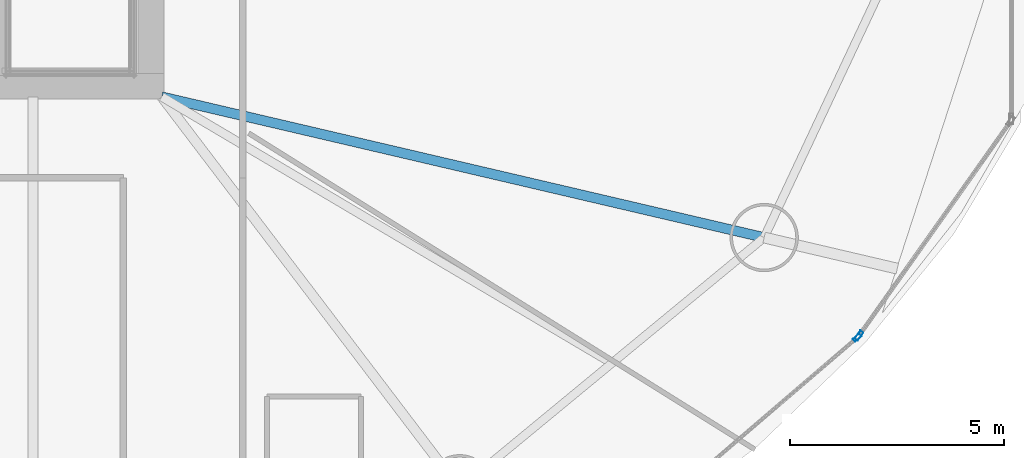
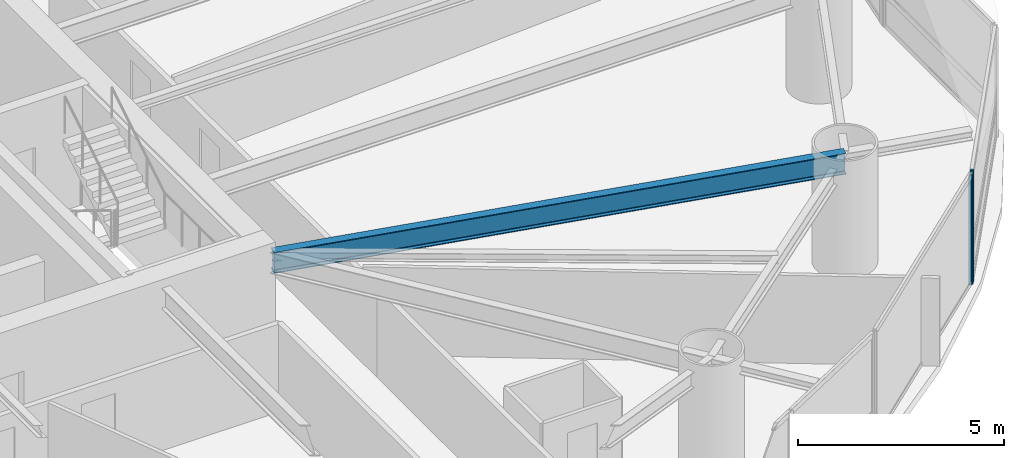
# One storey, part 7 of 25: 2 members, 1 beam, 2 elements without a shape of their own.
"""IFC4 building model written with IfcOpenShell, lengths in metres."""

from ifc_helpers import new_model, si_unit, direction, frame, origin, origin_2d, place, context, subcontext, project, spatial, hollow_rectangle, i_section, extrude, material, layer, layer_set, material_profile, profile_set, type_object, element, aggregate, save


model = new_model("IFC4")

# Units and contexts
model_context = context("Model", 3, precision=1e-05, world=origin(), true_north=direction((0.0, 1.0)))
body_context = subcontext(model_context, "Body", "Model", "MODEL_VIEW")
ifc_project = project(units=[si_unit("LENGTHUNIT", "METRE"), si_unit("AREAUNIT", "SQUARE_METRE"), si_unit("VOLUMEUNIT", "CUBIC_METRE"), si_unit("PLANEANGLEUNIT", "RADIAN"), si_unit("MASSUNIT", "GRAM", prefix="KILO")], contexts=[model_context])

# Site, building, storey
site_placement = place(None, origin())
site = spatial("IfcSite", under=ifc_project, at=site_placement, CompositionType="ELEMENT")
building_placement = place(site_placement, origin())
building = spatial("IfcBuilding", under=site, at=building_placement, Name="Bramvorn Convention Spire", CompositionType="ELEMENT")
storey_placement = place(building_placement, frame((0.0, 0.0, 55.39990234375)))
storey = spatial("IfcBuildingStorey", under=building, at=storey_placement, Name="L11", CompositionType="ELEMENT", Elevation=55.39990234375)

# Beam
ifc_material_1 = material(Name="Steel CSA G40.21 Grade 350 (350W)", Category="steel")
ifc_material_profile_1 = material_profile(ifc_material_1, i_section(OverallWidth=0.22998046875, OverallDepth=0.616943359375, WebThickness=0.01318359375, FlangeThickness=0.022216796875, FilletRadius=0.02001953125, at=origin_2d()))
ifc_profile_set_1 = profile_set([ifc_material_profile_1], Name="Steel CSA G40.21 Grade 350 (350W) - W610X140")
beam_type = type_object("IfcBeamType", Name="BM-W610X140", PredefinedType="BEAM", material=ifc_profile_set_1)
beam_placement = place(storey_placement, frame((49.25, 18.550048828125, 2.941650390625), z_axis=(0.973775294862, -0.227511923018, 0.0), x_axis=(0.227511923018, 0.973775294862, 0.0)))
element("IfcBeam", 1, at=beam_placement, inside=storey, type_object=beam_type, Name="L11 radial floor girder MC16", PredefinedType="BEAM", context=body_context, shape_type="SweptSolid", body=[
    extrude(i_section(OverallWidth=0.22998046875, OverallDepth=0.616943359375, WebThickness=0.01318359375, FlangeThickness=0.022216796875, FilletRadius=0.02001953125, at=origin_2d()), origin(), (0.0, 0.0, 1.0), 14.48876953125),
])

# Curtain wall, member
ifc_material_2 = material(Name="Anodised Bronze Unitised Curtain Wall", Category="aluminium")
ifc_layer_1 = layer(ifc_material_2, 0.179931640625)
ifc_layer_set_1 = layer_set([ifc_layer_1], Name="Anodised Bronze Unitised Curtain Wall - CW-HTL-FRIT")
curtain_wall_type_1 = type_object("IfcCurtainWallType", Name="CW-HTL-FRIT", PredefinedType="USERDEFINED", material=ifc_layer_set_1)
curtain_wall_1_placement = place(storey_placement, origin())
curtain_wall_1 = element("IfcCurtainWall", 2, at=curtain_wall_1_placement, inside=storey, type_object=curtain_wall_type_1, Name="L11 fritted glass curtain wall 22", ObjectType="UNITISED CURTAIN WALL", PredefinedType="USERDEFINED")
ifc_material_3 = material(Name="Anodised Bronze Aluminium 6063-T6", Category="aluminium")
ifc_material_profile_2 = material_profile(ifc_material_3, hollow_rectangle(XDim=0.080078125, YDim=0.199951171875, WallThickness=0.00390625, InnerFilletRadius=0.0009765625, OuterFilletRadius=0.00390625, at=origin_2d()))
ifc_profile_set_2 = profile_set([ifc_material_profile_2], Name="Anodised Bronze Aluminium 6063-T6 - CWM80X200")
member_type_1 = type_object("IfcMemberType", Name="CW-MUL-180", PredefinedType="MULLION", material=ifc_profile_set_2)
member_1_placement = place(storey_placement, frame((65.538818359375, 12.910888671875, 0.0), z_axis=(0.0, 0.0, 1.0), x_axis=(0.650945854546, -0.759124162736, 0.0)))
member_1 = element("IfcMember", 3, at=member_1_placement, type_object=member_type_1, Name="CW2 mullion 1", PredefinedType="MULLION", context=body_context, shape_type="SweptSolid", body=[
    extrude(hollow_rectangle(XDim=0.080078125, YDim=0.199951171875, WallThickness=0.00390625, InnerFilletRadius=0.0009765625, OuterFilletRadius=0.00390625, at=origin_2d()), origin(), (0.0, 0.0, 1.0), 3.25),
])
aggregate(curtain_wall_1, [member_1])

ifc_layer_2 = layer(ifc_material_2, 0.219970703125)
ifc_layer_set_2 = layer_set([ifc_layer_2], Name="Anodised Bronze Unitised Curtain Wall - CW-SKYGARDEN")
curtain_wall_type_2 = type_object("IfcCurtainWallType", Name="CW-SKYGARDEN", PredefinedType="USERDEFINED", material=ifc_layer_set_2)
curtain_wall_2_placement = place(storey_placement, origin())
curtain_wall_2 = element("IfcCurtainWall", 4, at=curtain_wall_2_placement, inside=storey, type_object=curtain_wall_type_2, Name="L11 Sky Garden glazed facade 23", ObjectType="WINTER GARDEN GLAZING", PredefinedType="USERDEFINED")
ifc_material_profile_3 = material_profile(ifc_material_3, hollow_rectangle(XDim=0.090087890625, YDim=0.239990234375, WallThickness=0.00439453125, InnerFilletRadius=0.0009765625, OuterFilletRadius=0.00439453125, at=origin_2d()))
ifc_profile_set_3 = profile_set([ifc_material_profile_3], Name="Anodised Bronze Aluminium 6063-T6 - CWM90X240")
member_type_2 = type_object("IfcMemberType", Name="CW-MUL-220", PredefinedType="MULLION", material=ifc_profile_set_3)
member_2_placement = place(storey_placement, frame((65.578857421875, 12.954833984375, 0.0), z_axis=(0.0, 0.0, 1.0), x_axis=(0.816430817855, -0.577443260985, 0.0)))
member_2 = element("IfcMember", 5, at=member_2_placement, type_object=member_type_2, Name="CW4 mullion 2", PredefinedType="MULLION", context=body_context, shape_type="SweptSolid", body=[
    extrude(hollow_rectangle(XDim=0.090087890625, YDim=0.239990234375, WallThickness=0.00439453125, InnerFilletRadius=0.0009765625, OuterFilletRadius=0.00439453125, at=origin_2d()), origin(), (0.0, 0.0, 1.0), 3.25),
])
aggregate(curtain_wall_2, [member_2])

save(model, "model.ifc")
